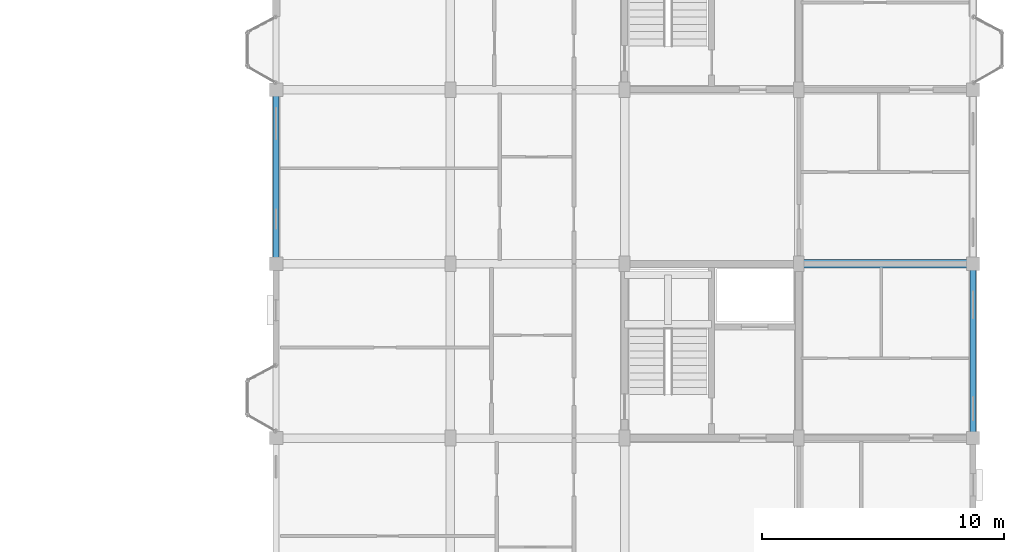
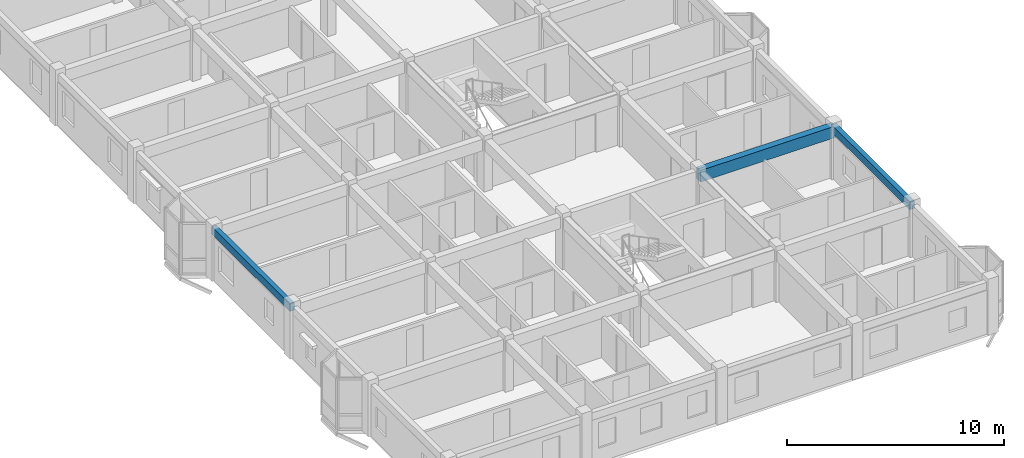
# One storey, part 26 of 77: 3 beams.
"""IFC4 building model written with IfcOpenShell, lengths in metres."""

import ifcopenshell
import ifcopenshell.guid

model = None  # the IFC model being written
_history = None  # IfcOwnerHistory: only IFC2X3 demands one
_inside = {}  # id of a spatial element -> (the spatial element, [elements in it])
_under = {}  # id of a project, library or spatial element -> (it, [spatial elements below it])
_declared = {}  # id of a project -> (the project, [libraries it declares])
_typed = {}  # id of a type object -> (the type object, [elements of that type])
_made_of = {}  # id of a material, layer set ... -> (it, [elements and type objects made of it])


def new_model(schema):
    """Start an empty IFC model of exactly this schema.

    Asked for "IFC4X3", IfcOpenShell would pick the latest addendum, in which some entities
    have other attributes; the version numbers below select the first issue.
    IFC2X3 requires an IfcOwnerHistory on every rooted entity: one is made here for all.
    """
    global model, _history
    if schema == "IFC4X3":
        model = ifcopenshell.file(schema_version=(4, 3, 0, 0))
    else:
        model = ifcopenshell.file(schema=schema)
    _inside.clear()
    _under.clear()
    _declared.clear()
    _typed.clear()
    _made_of.clear()
    _history = None
    if model.schema == "IFC2X3":
        org = make("IfcOrganization", Name="unknown")
        user = make(
            "IfcPersonAndOrganization",
            ThePerson=make("IfcPerson", FamilyName="unknown"),
            TheOrganization=org,
        )
        app = make(
            "IfcApplication",
            ApplicationDeveloper=org,
            Version="unknown",
            ApplicationFullName="unknown",
            ApplicationIdentifier="unknown",
        )
        _history = make(
            "IfcOwnerHistory",
            OwningUser=user,
            OwningApplication=app,
            ChangeAction="ADDED",
            CreationDate=0,
        )
    return model


def make(cls, **values):
    """One entity of the class cls with the attributes given. An attribute that is None is left unset."""
    return model.create_entity(
        cls, **{name: value for name, value in values.items() if value is not None}
    )


def rooted(cls, **values):
    """An entity with a GlobalId (a new one), such as an element, a storey or a relation."""
    return make(cls, GlobalId=ifcopenshell.guid.new(), OwnerHistory=_history, **values)


def si_unit(unit_type, name, prefix=None):
    """IfcSIUnit, for example si_unit("LENGTHUNIT", "METRE", prefix="MILLI")."""
    return make("IfcSIUnit", UnitType=unit_type, Prefix=prefix, Name=name)


def assignment(units):
    """IfcUnitAssignment: the units of a project."""
    return None if units is None else make("IfcUnitAssignment", Units=units)


def point(xyz):
    """IfcCartesianPoint."""
    return None if xyz is None else make("IfcCartesianPoint", Coordinates=xyz)


def direction(xyz):
    """IfcDirection."""
    return None if xyz is None else make("IfcDirection", DirectionRatios=xyz)


def frame(location, z_axis=None, x_axis=None):
    """IfcAxis2Placement3D, a coordinate frame: its origin and axes. An axis left out is left unset."""
    return make(
        "IfcAxis2Placement3D",
        Location=point(location),
        Axis=direction(z_axis),
        RefDirection=direction(x_axis),
    )


def frame_2d(location, x_axis=None):
    """IfcAxis2Placement2D, a coordinate frame in the plane: its origin and x axis."""
    return make(
        "IfcAxis2Placement2D", Location=point(location), RefDirection=direction(x_axis)
    )


def origin():
    """The frame at (0, 0, 0) with its axes left unset."""
    return frame((0.0, 0.0, 0.0))


def origin_2d():
    """The frame at (0, 0) in the plane with its x axis left unset."""
    return frame_2d((0.0, 0.0))


def place(relative_to, where):
    """IfcLocalPlacement: puts the frame where relative to a parent placement (None: the world)."""
    return make(
        "IfcLocalPlacement", PlacementRelTo=relative_to, RelativePlacement=where
    )


def context(
    kind, dimensions, precision=None, world=None, true_north=None, identifier=None
):
    """IfcGeometricRepresentationContext, for example the 3D "Model" context."""
    return make(
        "IfcGeometricRepresentationContext",
        ContextIdentifier=identifier,
        ContextType=kind,
        CoordinateSpaceDimension=dimensions,
        Precision=precision,
        WorldCoordinateSystem=world,
        TrueNorth=true_north,
    )


def subcontext(parent, identifier, kind, view, scale=None):
    """IfcGeometricRepresentationSubContext, for example "Body" below "Model"."""
    return make(
        "IfcGeometricRepresentationSubContext",
        ContextIdentifier=identifier,
        ContextType=kind,
        ParentContext=parent,
        TargetScale=scale,
        TargetView=view,
    )


def project(units=None, contexts=None):
    """IfcProject with its units and contexts."""
    return rooted(
        "IfcProject",
        Name="project",
        RepresentationContexts=contexts,
        UnitsInContext=assignment(units),
    )


def spatial(cls, under=None, at=None, **own):
    """A site, building, storey or space (cls), placed at a placement, below another one or the project."""
    s = rooted(cls, ObjectPlacement=at, **own)
    if under is not None:
        _under.setdefault(under.id(), (under, []))[1].append(s)
    return s


def profile(cls, at=None, kind="AREA", **sizes):
    """A parametric profile (cls). Its sizes go by their IFC names, for example OverallWidth=200.0."""
    return make(cls, ProfileType=kind, Position=at, **sizes)


def rectangle(**sizes):
    """IfcRectangleProfileDef."""
    return profile("IfcRectangleProfileDef", **sizes)


def extrude(swept, where, along, depth):
    """IfcExtrudedAreaSolid: the profile swept, set in the frame where, extruded along a direction by depth."""
    return make(
        "IfcExtrudedAreaSolid",
        SweptArea=swept,
        Position=where,
        ExtrudedDirection=direction(along),
        Depth=depth,
    )


def shape(context_of_items, identifier, shape_type, items):
    """IfcShapeRepresentation: the items that make up one representation, for example the "Body"."""
    return make(
        "IfcShapeRepresentation",
        ContextOfItems=context_of_items,
        RepresentationIdentifier=identifier,
        RepresentationType=shape_type,
        Items=items,
    )


def material(Name=None, Category=None):
    """IfcMaterial."""
    return make("IfcMaterial", Name=Name, Category=Category)


def material_profile(
    of_material, cross_section, Name=None, Category=None, Priority=None
):
    """IfcMaterialProfile: a cross section and its material."""
    return make(
        "IfcMaterialProfile",
        Name=Name,
        Material=of_material,
        Profile=cross_section,
        Priority=Priority,
        Category=Category,
    )


def profile_set(profiles, Name=None, composite=None):
    """IfcMaterialProfileSet."""
    return make(
        "IfcMaterialProfileSet",
        Name=Name,
        MaterialProfiles=profiles,
        CompositeProfile=composite,
    )


def made_of(thing, what):
    """Note that an element or type object is made of a material, layer set ...; save() writes the relation."""
    if what is not None:
        _made_of.setdefault(what.id(), (what, []))[1].append(thing)
    return thing


def type_object(cls, material=None, **own):
    """A type object (cls), such as IfcWallType, which elements share."""
    return made_of(rooted(cls, **own), material)


def element(
    cls,
    number,
    at=None,
    inside=None,
    cuts=None,
    type_object=None,
    material=None,
    context=None,
    identifier="Body",
    shape_type=None,
    held_by="IfcProductDefinitionShape",
    body=None,
    shapes=None,
    **own,
):
    """One element of the class cls, such as IfcWall. Its Tag is "e" and its number.

    at: its placement. inside: the storey or other place that contains it. cuts: it is an
    opening in that element (IfcRelVoidsElement). A single representation is given by context,
    identifier, shape_type and body (its items); several are given by shapes. held_by: the class
    of the entity that holds the representations. save() writes the other relations.
    """
    e = rooted(cls, Tag="e%d" % number, ObjectPlacement=at, **own)
    if body is not None:
        shapes = [shape(context, identifier, shape_type, body)]
    if shapes is not None:
        e.Representation = make(held_by, Representations=shapes)
    if inside is not None:
        _inside.setdefault(inside.id(), (inside, []))[1].append(e)
    if cuts is not None:
        rooted(
            "IfcRelVoidsElement", RelatingBuildingElement=cuts, RelatedOpeningElement=e
        )
    if type_object is not None:
        _typed.setdefault(type_object.id(), (type_object, []))[1].append(e)
    return made_of(e, material)


def aggregate(whole, parts):
    """IfcRelAggregates: a whole, such as a stair, and the parts it consists of."""
    return rooted("IfcRelAggregates", RelatingObject=whole, RelatedObjects=parts)


def save(model, path):
    """Write the relations noted so far, then the file.

    IfcRelAggregates (storeys below a building ...), IfcRelContainedInSpatialStructure (elements
    in a storey), IfcRelDefinesByType, IfcRelAssociatesMaterial and IfcRelDeclares: one each for
    every whole, place, type object, material and project.
    """
    for whole, parts in _under.values():
        aggregate(whole, parts)
    for where, things in _inside.values():
        rooted(
            "IfcRelContainedInSpatialStructure",
            RelatedElements=things,
            RelatingStructure=where,
        )
    for kind, things in _typed.values():
        rooted("IfcRelDefinesByType", RelatedObjects=things, RelatingType=kind)
    for what, things in _made_of.values():
        rooted("IfcRelAssociatesMaterial", RelatedObjects=things, RelatingMaterial=what)
    for by, libraries in _declared.values():
        rooted("IfcRelDeclares", RelatingContext=by, RelatedDefinitions=libraries)
    model.write(path)


model = new_model("IFC4")

# Units and contexts
model_context = context("Model", 3, precision=1e-05, world=origin(), true_north=direction((0.0, 1.0)))
body_context = subcontext(model_context, "Body", "Model", "MODEL_VIEW")
ifc_project = project(units=[si_unit("LENGTHUNIT", "METRE"), si_unit("AREAUNIT", "SQUARE_METRE"), si_unit("VOLUMEUNIT", "CUBIC_METRE"), si_unit("PLANEANGLEUNIT", "RADIAN"), si_unit("MASSUNIT", "GRAM", prefix="KILO"), si_unit("THERMODYNAMICTEMPERATUREUNIT", "KELVIN"), si_unit("POWERUNIT", "WATT")], contexts=[model_context])

# Site, building, storey
site_placement = place(None, origin())
site = spatial("IfcSite", under=ifc_project, at=site_placement, CompositionType="ELEMENT")
building_placement = place(site_placement, origin())
building = spatial("IfcBuilding", under=site, at=building_placement, Name="Tavuni Mirador Residences", CompositionType="ELEMENT")
storey_placement = place(building_placement, frame((0.0, 0.0, 17.10009765625)))
storey = spatial("IfcBuildingStorey", under=building, at=storey_placement, Name="L05", CompositionType="ELEMENT", Elevation=17.10009765625)

# Beams
ifc_material = material(Name="Precast concrete C40/50", Category="concrete")
ifc_material_profile_1 = material_profile(ifc_material, rectangle(XDim=0.35009765625, YDim=0.64990234375, at=origin_2d()), Name="PC 350x650", Category="concrete")
ifc_profile_set_1 = profile_set([ifc_material_profile_1], Name="Precast concrete C40/50")
beam_type_1 = type_object("IfcBeamType", Name="BT-B650", PredefinedType="BEAM", material=ifc_profile_set_1)
beam_placement = place(storey_placement, frame((111.60009765625, 100.800048828125, 2.56494140625), z_axis=(1.0, 0.0, 0.0), x_axis=(0.0, 1.0, 0.0)))
element("IfcBeam", 1, at=beam_placement, inside=storey, type_object=beam_type_1, Name="BMX-BLK-D-L05-03-02", PredefinedType="BEAM", context=body_context, shape_type="SweptSolid", body=[
    extrude(rectangle(XDim=0.35009765625, YDim=0.64990234375, at=origin_2d()), origin(), (0.0, 0.0, 1.0), 7.199951171875),
])
ifc_material_profile_2 = material_profile(ifc_material, rectangle(XDim=0.25, YDim=0.419921875, at=origin_2d()), Name="PC 250x420", Category="concrete")
ifc_profile_set_2 = profile_set([ifc_material_profile_2], Name="Precast concrete C40/50")
beam_type_2 = type_object("IfcBeamType", Name="BT-SP420", PredefinedType="SPANDREL", material=ifc_profile_set_2)
for number, where, z_axis, x_axis, name in (
    (2, (90.0, 100.800048828125, 2.679931640625), (0.0, 1.0, 0.0), (-1.0, 0.0, 0.0), "BMY-BLK-D-L05-00-02"),
    (3, (118.800048828125, 93.60009765625, 2.679931640625), (0.0, 1.0, 0.0), (-1.0, 0.0, 0.0), "BMY-BLK-D-L05-04-01"),
):
    element("IfcBeam", number, at=place(storey_placement, frame(where, z_axis=z_axis, x_axis=x_axis)), inside=storey, type_object=beam_type_2, Name=name, PredefinedType="SPANDREL", context=body_context, shape_type="SweptSolid", body=[
        extrude(rectangle(XDim=0.25, YDim=0.419921875, at=origin_2d()), origin(), (0.0, 0.0, 1.0), 7.199951171875),
    ])

save(model, "model.ifc")
